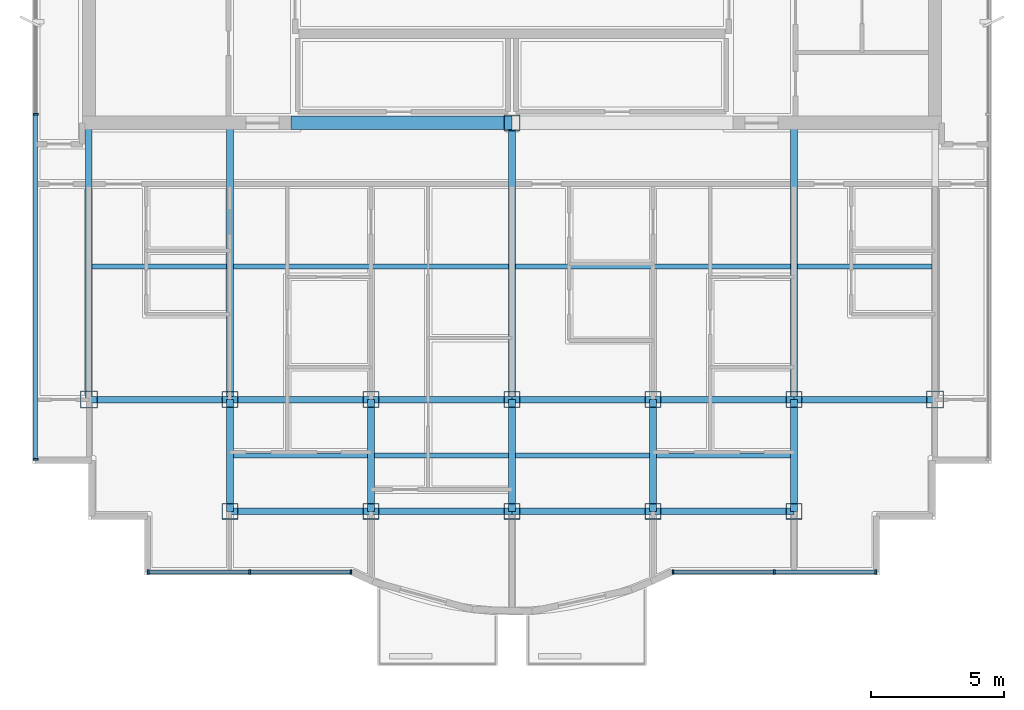
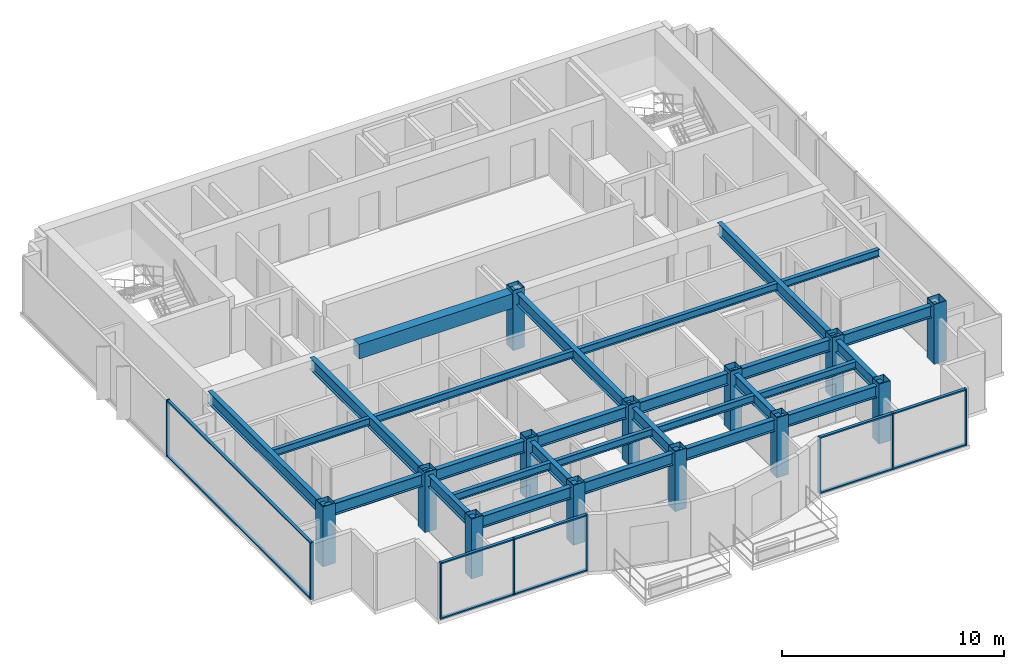
# One storey, part 1 of 11: 28 beams, 18 members, 13 columns, 3 elements without a shape of their own.
"""IFC4 building model written with IfcOpenShell, lengths in metres."""

from ifc_helpers import new_model, si_unit, direction, frame, origin, origin_2d, place, context, subcontext, project, spatial, rectangle, hollow_rectangle, i_section, extrude, source, transform, mapped, material, layer, layer_set, material_profile, profile_set, type_object, element, aggregate, save


model = new_model("IFC4")

# Units and contexts
model_context = context("Model", 3, precision=1e-05, world=origin(), true_north=direction((0.0, 1.0)))
body_context = subcontext(model_context, "Body", "Model", "MODEL_VIEW")
ifc_project = project(units=[si_unit("LENGTHUNIT", "METRE"), si_unit("AREAUNIT", "SQUARE_METRE"), si_unit("VOLUMEUNIT", "CUBIC_METRE"), si_unit("PLANEANGLEUNIT", "RADIAN"), si_unit("MASSUNIT", "GRAM", prefix="KILO")], contexts=[model_context])

# Site, building, storey
site_placement = place(None, origin())
site = spatial("IfcSite", under=ifc_project, at=site_placement, CompositionType="ELEMENT")
building_placement = place(site_placement, origin())
building = spatial("IfcBuilding", under=site, at=building_placement, Name="Qianlan Lanfeng Residences", CompositionType="ELEMENT")
storey_placement = place(building_placement, frame((0.0, 0.0, 259.39990234375)))
storey = spatial("IfcBuildingStorey", under=building, at=storey_placement, Name="L72", CompositionType="ELEMENT", Elevation=259.39990234375)

# Columns
ifc_material_1 = material(Name="Steel SN490B", Category="steel")
ifc_material_profile_1 = material_profile(ifc_material_1, hollow_rectangle(XDim=0.60009765625, YDim=0.60009765625, WallThickness=0.02197265625, at=origin_2d()), Name="BOX 600x600x22")
ifc_profile_set_1 = profile_set([ifc_material_profile_1], Name="Steel SN490B")
column_type_1 = type_object("IfcColumnType", Name="C-B650", PredefinedType="COLUMN", material=ifc_profile_set_1)
for number, where, z_axis, x_axis, name in (
    (1, (26.5, 25.199951171875, 0.0), (0.0, 0.0, 1.0), (1.0, 0.0, 0.0), "L72 Structural Column CP_26.5_25.2"),
    (2, (15.89990234375, 14.800048828125, 0.0), (0.0, 0.0, 1.0), (1.0, 0.0, 0.0), "L72 Structural Column M_15.90_14.80"),
    (3, (15.89990234375, 10.60009765625, 0.0), (0.0, 0.0, 1.0), (1.0, 0.0, 0.0), "L72 Structural Column G_15.90_10.60"),
    (4, (21.199951171875, 14.800048828125, 0.0), (0.0, 0.0, 1.0), (1.0, 0.0, 0.0), "L72 Structural Column M_21.20_14.80"),
    (5, (21.199951171875, 10.60009765625, 0.0), (0.0, 0.0, 1.0), (1.0, 0.0, 0.0), "L72 Structural Column G_21.20_10.60"),
    (6, (26.5, 14.800048828125, 0.0), (0.0, 0.0, 1.0), (1.0, 0.0, 0.0), "L72 Structural Column M_26.50_14.80"),
    (7, (26.5, 10.60009765625, 0.0), (0.0, 0.0, 1.0), (1.0, 0.0, 0.0), "L72 Structural Column G_26.50_10.60"),
    (8, (31.800048828125, 14.800048828125, 0.0), (0.0, 0.0, 1.0), (1.0, 0.0, 0.0), "L72 Structural Column M_31.80_14.80"),
    (9, (31.800048828125, 10.60009765625, 0.0), (0.0, 0.0, 1.0), (1.0, 0.0, 0.0), "L72 Structural Column G_31.80_10.60"),
    (10, (37.10009765625, 14.800048828125, 0.0), (0.0, 0.0, 1.0), (1.0, 0.0, 0.0), "L72 Structural Column M_37.10_14.80"),
    (11, (37.10009765625, 10.60009765625, 0.0), (0.0, 0.0, 1.0), (1.0, 0.0, 0.0), "L72 Structural Column G_37.10_10.60"),
):
    element("IfcColumn", number, at=place(storey_placement, frame(where, z_axis=z_axis, x_axis=x_axis)), inside=storey, type_object=column_type_1, Name=name, PredefinedType="COLUMN", context=body_context, shape_type="SweptSolid", body=[
        extrude(hollow_rectangle(XDim=0.60009765625, YDim=0.60009765625, WallThickness=0.02197265625, at=origin_2d()), origin(), (0.0, 0.0, 1.0), 3.300048828125),
    ])
ifc_material_profile_2 = material_profile(ifc_material_1, hollow_rectangle(XDim=0.64990234375, YDim=0.64990234375, WallThickness=0.02197265625, at=origin_2d()), Name="BOX 650x650x22")
ifc_profile_set_2 = profile_set([ifc_material_profile_2], Name="Steel SN490B")
column_type_2 = type_object("IfcColumnType", Name="CE-B700", PredefinedType="COLUMN", material=ifc_profile_set_2)
for number, where, z_axis, x_axis, name in (
    (12, (10.60009765625, 14.800048828125, 0.0), (0.0, 0.0, 1.0), (1.0, 0.0, 0.0), "L72 Structural Column M_10.60_14.80"),
    (13, (42.39990234375, 14.800048828125, 0.0), (0.0, 0.0, 1.0), (1.0, 0.0, 0.0), "L72 Structural Column M_42.40_14.80"),
):
    element("IfcColumn", number, at=place(storey_placement, frame(where, z_axis=z_axis, x_axis=x_axis)), inside=storey, type_object=column_type_2, Name=name, PredefinedType="COLUMN", context=body_context, shape_type="SweptSolid", body=[
        extrude(hollow_rectangle(XDim=0.64990234375, YDim=0.64990234375, WallThickness=0.02197265625, at=origin_2d()), origin(), (0.0, 0.0, 1.0), 3.300048828125),
    ])

# Beams
ifc_material_profile_3 = material_profile(ifc_material_1, i_section(OverallWidth=0.25, OverallDepth=0.64990234375, WebThickness=0.012939453125, FlangeThickness=0.02197265625, at=origin_2d()), Name="H 650x250x13x22")
ifc_profile_set_3 = profile_set([ifc_material_profile_3], Name="Steel SN490B")
beam_type_1 = type_object("IfcBeamType", Name="G-650", PredefinedType="BEAM", material=ifc_profile_set_3)
for number, where, z_axis, x_axis, name in (
    (14, (15.89990234375, 10.60009765625, 2.78515625), (1.0, 0.0, 0.0), (0.0, 1.0, 0.0), "Structural beam G-650"),
    (15, (21.199951171875, 10.60009765625, 2.78515625), (1.0, 0.0, 0.0), (0.0, 1.0, 0.0), "Structural beam G-650"),
    (16, (26.5, 10.60009765625, 2.78515625), (1.0, 0.0, 0.0), (0.0, 1.0, 0.0), "Structural beam G-650"),
    (17, (31.800048828125, 10.60009765625, 2.78515625), (1.0, 0.0, 0.0), (0.0, 1.0, 0.0), "Structural beam G-650"),
):
    element("IfcBeam", number, at=place(storey_placement, frame(where, z_axis=z_axis, x_axis=x_axis)), inside=storey, type_object=beam_type_1, Name=name, PredefinedType="BEAM", context=body_context, shape_type="SweptSolid", body=[
        extrude(i_section(OverallWidth=0.25, OverallDepth=0.64990234375, WebThickness=0.012939453125, FlangeThickness=0.02197265625, at=origin_2d()), origin(), (0.0, 0.0, 1.0), 5.300048828125),
    ])
beam_1_placement = place(storey_placement, frame((10.60009765625, 14.800048828125, 2.78515625), z_axis=(1.0, 0.0, 0.0), x_axis=(0.0, 1.0, 0.0)))
element("IfcBeam", 18, at=beam_1_placement, inside=storey, type_object=beam_type_1, Name="Structural beam G-650", PredefinedType="BEAM", context=body_context, shape_type="SweptSolid", body=[
    extrude(i_section(OverallWidth=0.25, OverallDepth=0.64990234375, WebThickness=0.012939453125, FlangeThickness=0.02197265625, at=origin_2d()), origin(), (0.0, 0.0, 1.0), 5.2998046875),
])
for number, where, z_axis, x_axis, name in (
    (19, (15.89990234375, 14.800048828125, 2.78515625), (1.0, 0.0, 0.0), (0.0, 1.0, 0.0), "Structural beam G-650"),
    (20, (21.199951171875, 14.800048828125, 2.78515625), (1.0, 0.0, 0.0), (0.0, 1.0, 0.0), "Structural beam G-650"),
    (21, (26.5, 14.800048828125, 2.78515625), (1.0, 0.0, 0.0), (0.0, 1.0, 0.0), "Structural beam G-650"),
    (22, (31.800048828125, 14.800048828125, 2.78515625), (1.0, 0.0, 0.0), (0.0, 1.0, 0.0), "Structural beam G-650"),
):
    element("IfcBeam", number, at=place(storey_placement, frame(where, z_axis=z_axis, x_axis=x_axis)), inside=storey, type_object=beam_type_1, Name=name, PredefinedType="BEAM", context=body_context, shape_type="SweptSolid", body=[
        extrude(i_section(OverallWidth=0.25, OverallDepth=0.64990234375, WebThickness=0.012939453125, FlangeThickness=0.02197265625, at=origin_2d()), origin(), (0.0, 0.0, 1.0), 5.300048828125),
    ])
beam_2_placement = place(storey_placement, frame((37.10009765625, 14.800048828125, 2.78515625), z_axis=(1.0, 0.0, 0.0), x_axis=(0.0, 1.0, 0.0)))
element("IfcBeam", 23, at=beam_2_placement, inside=storey, type_object=beam_type_1, Name="Structural beam G-650", PredefinedType="BEAM", context=body_context, shape_type="SweptSolid", body=[
    extrude(i_section(OverallWidth=0.25, OverallDepth=0.64990234375, WebThickness=0.012939453125, FlangeThickness=0.02197265625, at=origin_2d()), origin(), (0.0, 0.0, 1.0), 5.2998046875),
])
beam_3_placement = place(storey_placement, frame((10.60009765625, 14.800048828125, 2.78515625), z_axis=(0.0, 1.0, 0.0), x_axis=(-1.0, 0.0, 0.0)))
element("IfcBeam", 24, at=beam_3_placement, inside=storey, type_object=beam_type_1, Name="Structural beam G-650", PredefinedType="BEAM", context=body_context, shape_type="SweptSolid", body=[
    extrude(i_section(OverallWidth=0.25, OverallDepth=0.64990234375, WebThickness=0.012939453125, FlangeThickness=0.02197265625, at=origin_2d()), origin(), (0.0, 0.0, 1.0), 10.39990234375),
])
beam_4_placement = place(storey_placement, frame((15.89990234375, 10.60009765625, 2.78515625), z_axis=(0.0, 1.0, 0.0), x_axis=(-1.0, 0.0, 0.0)))
element("IfcBeam", 25, at=beam_4_placement, inside=storey, type_object=beam_type_1, Name="Structural beam G-650", PredefinedType="BEAM", context=body_context, shape_type="SweptSolid", body=[
    extrude(i_section(OverallWidth=0.25, OverallDepth=0.64990234375, WebThickness=0.012939453125, FlangeThickness=0.02197265625, at=origin_2d()), origin(), (0.0, 0.0, 1.0), 4.199951171875),
])
beam_5_placement = place(storey_placement, frame((15.89990234375, 14.800048828125, 2.78515625), z_axis=(0.0, 1.0, 0.0), x_axis=(-1.0, 0.0, 0.0)))
element("IfcBeam", 26, at=beam_5_placement, inside=storey, type_object=beam_type_1, Name="Structural beam G-650", PredefinedType="BEAM", context=body_context, shape_type="SweptSolid", body=[
    extrude(i_section(OverallWidth=0.25, OverallDepth=0.64990234375, WebThickness=0.012939453125, FlangeThickness=0.02197265625, at=origin_2d()), origin(), (0.0, 0.0, 1.0), 10.39990234375),
])
for number, where, z_axis, x_axis, name in (
    (27, (21.199951171875, 10.60009765625, 2.78515625), (0.0, 1.0, 0.0), (-1.0, 0.0, 0.0), "Structural beam G-650"),
    (28, (26.5, 10.60009765625, 2.78515625), (0.0, 1.0, 0.0), (-1.0, 0.0, 0.0), "Structural beam G-650"),
):
    element("IfcBeam", number, at=place(storey_placement, frame(where, z_axis=z_axis, x_axis=x_axis)), inside=storey, type_object=beam_type_1, Name=name, PredefinedType="BEAM", context=body_context, shape_type="SweptSolid", body=[
        extrude(i_section(OverallWidth=0.25, OverallDepth=0.64990234375, WebThickness=0.012939453125, FlangeThickness=0.02197265625, at=origin_2d()), origin(), (0.0, 0.0, 1.0), 4.199951171875),
    ])
beam_6_placement = place(storey_placement, frame((26.5, 14.800048828125, 2.78515625), z_axis=(0.0, 1.0, 0.0), x_axis=(-1.0, 0.0, 0.0)))
element("IfcBeam", 29, at=beam_6_placement, inside=storey, type_object=beam_type_1, Name="Structural beam G-650", PredefinedType="BEAM", context=body_context, shape_type="SweptSolid", body=[
    extrude(i_section(OverallWidth=0.25, OverallDepth=0.64990234375, WebThickness=0.012939453125, FlangeThickness=0.02197265625, at=origin_2d()), origin(), (0.0, 0.0, 1.0), 10.39990234375),
])
for number, where, z_axis, x_axis, name in (
    (30, (31.800048828125, 10.60009765625, 2.78515625), (0.0, 1.0, 0.0), (-1.0, 0.0, 0.0), "Structural beam G-650"),
    (31, (37.10009765625, 10.60009765625, 2.78515625), (0.0, 1.0, 0.0), (-1.0, 0.0, 0.0), "Structural beam G-650"),
):
    element("IfcBeam", number, at=place(storey_placement, frame(where, z_axis=z_axis, x_axis=x_axis)), inside=storey, type_object=beam_type_1, Name=name, PredefinedType="BEAM", context=body_context, shape_type="SweptSolid", body=[
        extrude(i_section(OverallWidth=0.25, OverallDepth=0.64990234375, WebThickness=0.012939453125, FlangeThickness=0.02197265625, at=origin_2d()), origin(), (0.0, 0.0, 1.0), 4.199951171875),
    ])
beam_7_placement = place(storey_placement, frame((37.10009765625, 14.800048828125, 2.78515625), z_axis=(0.0, 1.0, 0.0), x_axis=(-1.0, 0.0, 0.0)))
element("IfcBeam", 32, at=beam_7_placement, inside=storey, type_object=beam_type_1, Name="Structural beam G-650", PredefinedType="BEAM", context=body_context, shape_type="SweptSolid", body=[
    extrude(i_section(OverallWidth=0.25, OverallDepth=0.64990234375, WebThickness=0.012939453125, FlangeThickness=0.02197265625, at=origin_2d()), origin(), (0.0, 0.0, 1.0), 10.39990234375),
])
ifc_material_profile_4 = material_profile(ifc_material_1, i_section(OverallWidth=0.199951171875, OverallDepth=0.39990234375, WebThickness=0.008056640625, FlangeThickness=0.012939453125, at=origin_2d()), Name="H 400x200x8x13")
ifc_profile_set_4 = profile_set([ifc_material_profile_4], Name="Steel SN490B")
beam_type_2 = type_object("IfcBeamType", Name="J-400", PredefinedType="JOIST", material=ifc_profile_set_4)
for number, where, z_axis, x_axis, name in (
    (33, (16.02490234375, 12.699951171875, 2.91015625), (1.0, 0.0, 0.0), (0.0, 1.0, 0.0), "Structural beam J-400"),
    (34, (21.324951171875, 12.699951171875, 2.91015625), (1.0, 0.0, 0.0), (0.0, 1.0, 0.0), "Structural beam J-400"),
    (35, (26.625, 12.699951171875, 2.91015625), (1.0, 0.0, 0.0), (0.0, 1.0, 0.0), "Structural beam J-400"),
    (36, (31.925048828125, 12.699951171875, 2.91015625), (1.0, 0.0, 0.0), (0.0, 1.0, 0.0), "Structural beam J-400"),
):
    element("IfcBeam", number, at=place(storey_placement, frame(where, z_axis=z_axis, x_axis=x_axis)), inside=storey, type_object=beam_type_2, Name=name, PredefinedType="JOIST", context=body_context, shape_type="SweptSolid", body=[
        extrude(i_section(OverallWidth=0.199951171875, OverallDepth=0.39990234375, WebThickness=0.008056640625, FlangeThickness=0.012939453125, at=origin_2d()), origin(), (0.0, 0.0, 1.0), 5.050048828125),
    ])
beam_8_placement = place(storey_placement, frame((10.72509765625, 19.800048828125, 2.91015625), z_axis=(1.0, 0.0, 0.0), x_axis=(0.0, 1.0, 0.0)))
element("IfcBeam", 37, at=beam_8_placement, inside=storey, type_object=beam_type_2, Name="Structural beam J-400", PredefinedType="JOIST", context=body_context, shape_type="SweptSolid", body=[
    extrude(i_section(OverallWidth=0.199951171875, OverallDepth=0.39990234375, WebThickness=0.008056640625, FlangeThickness=0.012939453125, at=origin_2d()), origin(), (0.0, 0.0, 1.0), 5.0498046875),
])
for number, where, z_axis, x_axis, name in (
    (38, (16.02490234375, 19.800048828125, 2.91015625), (1.0, 0.0, 0.0), (0.0, 1.0, 0.0), "Structural beam J-400"),
    (39, (26.625, 19.800048828125, 2.91015625), (1.0, 0.0, 0.0), (0.0, 1.0, 0.0), "Structural beam J-400"),
):
    element("IfcBeam", number, at=place(storey_placement, frame(where, z_axis=z_axis, x_axis=x_axis)), inside=storey, type_object=beam_type_2, Name=name, PredefinedType="JOIST", context=body_context, shape_type="SweptSolid", body=[
        extrude(i_section(OverallWidth=0.199951171875, OverallDepth=0.39990234375, WebThickness=0.008056640625, FlangeThickness=0.012939453125, at=origin_2d()), origin(), (0.0, 0.0, 1.0), 10.35009765625),
    ])
beam_9_placement = place(storey_placement, frame((37.22509765625, 19.800048828125, 2.91015625), z_axis=(1.0, 0.0, 0.0), x_axis=(0.0, 1.0, 0.0)))
element("IfcBeam", 40, at=beam_9_placement, inside=storey, type_object=beam_type_2, Name="Structural beam J-400", PredefinedType="JOIST", context=body_context, shape_type="SweptSolid", body=[
    extrude(i_section(OverallWidth=0.199951171875, OverallDepth=0.39990234375, WebThickness=0.008056640625, FlangeThickness=0.012939453125, at=origin_2d()), origin(), (0.0, 0.0, 1.0), 5.0498046875),
])
ifc_material_2 = material(Name="Concrete C49", Category="concrete")
ifc_material_profile_5 = material_profile(ifc_material_2, rectangle(XDim=0.5, YDim=0.800048828125, at=origin_2d()), Name="RC 500x800")
ifc_profile_set_5 = profile_set([ifc_material_profile_5], Name="Concrete C49")
beam_type_3 = type_object("IfcBeamType", Name="LB-RC750", PredefinedType="BEAM", material=ifc_profile_set_5)
beam_10_placement = place(storey_placement, frame((18.199951171875, 25.199951171875, 2.710205078125), z_axis=(1.0, 0.0, 0.0), x_axis=(0.0, 1.0, 0.0)))
element("IfcBeam", 41, at=beam_10_placement, inside=storey, type_object=beam_type_3, Name="L72 Core Coupling Beam W", PredefinedType="BEAM", context=body_context, shape_type="SweptSolid", body=[
    extrude(rectangle(XDim=0.5, YDim=0.800048828125, at=origin_2d()), origin(), (0.0, 0.0, 1.0), 8.300048828125),
])

# Curtain wall, members
ifc_material_3 = material(Name="Anodised Bronze Aluminium 6063-T6", Category="aluminium")
ifc_layer = layer(ifc_material_3, 0.219970703125)
ifc_layer_set = layer_set([ifc_layer], Name="Anodised Bronze Aluminium 6063-T6")
curtain_wall_type = type_object("IfcCurtainWallType", Name="CW-06", PredefinedType="NOTDEFINED", material=ifc_layer_set)
curtain_wall_1_placement = place(storey_placement, origin())
curtain_wall_1 = element("IfcCurtainWall", 42, at=curtain_wall_1_placement, inside=storey, type_object=curtain_wall_type, Name="L72 Unitised Curtain Wall CWR-L72-01 (CW-06)", PredefinedType="NOTDEFINED")
ifc_material_profile_6 = material_profile(ifc_material_3, rectangle(XDim=0.074951171875, YDim=0.179931640625, at=origin_2d()), Name="ALU MULLION 75x180")
ifc_profile_set_6 = profile_set([ifc_material_profile_6], Name="Anodised Bronze Aluminium 6063-T6")
member_type_1 = type_object("IfcMemberType", Name="CWM-180", PredefinedType="MULLION", material=ifc_profile_set_6)
shared_shape_1 = source(origin(), body_context, "Body", "SweptSolid", [
    extrude(rectangle(XDim=0.074951171875, YDim=0.179931640625, at=origin_2d()), origin(), (0.0, 0.0, 1.0), 3.110107421875),
])
member_1_placement = place(storey_placement, frame((12.83740234375, 8.320068359375, 0.0), z_axis=(0.0, 0.0, 1.0), x_axis=(1.0, 0.0, 0.0)))
member_1 = element("IfcMember", 43, at=member_1_placement, type_object=member_type_1, Name="CWR-L72-01 Mullion 1", PredefinedType="MULLION", context=body_context, shape_type="MappedRepresentation", body=[
    mapped(shared_shape_1, transform((0.0, 0.0, 0.0), scale=1.0)),
])
member_2_placement = place(storey_placement, frame((16.6435546875, 8.320068359375, 0.0), z_axis=(0.0, 0.0, 1.0), x_axis=(1.0, 0.0, 0.0)))
member_2 = element("IfcMember", 44, at=member_2_placement, type_object=member_type_1, Name="CWR-L72-01 Mullion 2", PredefinedType="MULLION", context=body_context, shape_type="MappedRepresentation", body=[
    mapped(shared_shape_1, transform((0.0, 0.0, 0.0), scale=1.0)),
])
member_3_placement = place(storey_placement, frame((20.449462890625, 8.320068359375, 0.0), z_axis=(0.0, 0.0, 1.0), x_axis=(1.0, 0.0, 0.0)))
member_3 = element("IfcMember", 45, at=member_3_placement, type_object=member_type_1, Name="CWR-L72-01 Mullion 3", PredefinedType="MULLION", context=body_context, shape_type="MappedRepresentation", body=[
    mapped(shared_shape_1, transform((0.0, 0.0, 0.0), scale=1.0)),
])

curtain_wall_2_placement = place(storey_placement, origin())
curtain_wall_2 = element("IfcCurtainWall", 46, at=curtain_wall_2_placement, inside=storey, type_object=curtain_wall_type, Name="L72 Unitised Curtain Wall CWR-L72-02 (CW-06)", PredefinedType="NOTDEFINED")
member_4_placement = place(storey_placement, frame((32.550537109375, 8.320068359375, 0.0), z_axis=(0.0, 0.0, 1.0), x_axis=(1.0, 0.0, 0.0)))
member_4 = element("IfcMember", 47, at=member_4_placement, type_object=member_type_1, Name="CWR-L72-02 Mullion 1", PredefinedType="MULLION", context=body_context, shape_type="MappedRepresentation", body=[
    mapped(shared_shape_1, transform((0.0, 0.0, 0.0), scale=1.0)),
])
member_5_placement = place(storey_placement, frame((36.3564453125, 8.320068359375, 0.0), z_axis=(0.0, 0.0, 1.0), x_axis=(1.0, 0.0, 0.0)))
member_5 = element("IfcMember", 48, at=member_5_placement, type_object=member_type_1, Name="CWR-L72-02 Mullion 2", PredefinedType="MULLION", context=body_context, shape_type="MappedRepresentation", body=[
    mapped(shared_shape_1, transform((0.0, 0.0, 0.0), scale=1.0)),
])
member_6_placement = place(storey_placement, frame((40.16259765625, 8.320068359375, 0.0), z_axis=(0.0, 0.0, 1.0), x_axis=(1.0, 0.0, 0.0)))
member_6 = element("IfcMember", 49, at=member_6_placement, type_object=member_type_1, Name="CWR-L72-02 Mullion 3", PredefinedType="MULLION", context=body_context, shape_type="MappedRepresentation", body=[
    mapped(shared_shape_1, transform((0.0, 0.0, 0.0), scale=1.0)),
])

curtain_wall_3_placement = place(storey_placement, origin())
curtain_wall_3 = element("IfcCurtainWall", 50, at=curtain_wall_3_placement, inside=storey, type_object=curtain_wall_type, Name="L72 Unitised Curtain Wall CWR-L72-04 (CW-06)", PredefinedType="NOTDEFINED")
member_7_placement = place(storey_placement, frame((8.60009765625, 25.52490234375, 0.0), z_axis=(0.0, 0.0, 1.0), x_axis=(0.0, -1.0, 0.0)))
member_7 = element("IfcMember", 51, at=member_7_placement, type_object=member_type_1, Name="CWR-L72-04 Mullion 2", PredefinedType="MULLION", context=body_context, shape_type="MappedRepresentation", body=[
    mapped(shared_shape_1, transform((0.0, 0.0, 0.0), scale=1.0)),
])
member_8_placement = place(storey_placement, frame((8.60009765625, 12.5576171875, 0.0), z_axis=(0.0, 0.0, 1.0), x_axis=(0.0, -1.0, 0.0)))
member_8 = element("IfcMember", 52, at=member_8_placement, type_object=member_type_1, Name="CWR-L72-04 Mullion 3", PredefinedType="MULLION", context=body_context, shape_type="MappedRepresentation", body=[
    mapped(shared_shape_1, transform((0.0, 0.0, 0.0), scale=1.0)),
])

# Member
ifc_material_profile_7 = material_profile(ifc_material_3, rectangle(XDim=0.074951171875, YDim=0.14990234375, at=origin_2d()), Name="ALU TRANSOM 75x150")
ifc_profile_set_7 = profile_set([ifc_material_profile_7], Name="Anodised Bronze Aluminium 6063-T6")
member_type_2 = type_object("IfcMemberType", Name="CWT-150", PredefinedType="USERDEFINED", material=ifc_profile_set_7)
shared_shape_2 = source(origin(), body_context, "Body", "SweptSolid", [
    extrude(rectangle(XDim=0.074951171875, YDim=0.14990234375, at=origin_2d()), origin(), (0.0, 0.0, 1.0), 3.73095703125),
])
member_9_placement = place(storey_placement, frame((12.875, 8.320068359375, 0.03759765625), z_axis=(1.0, 0.0, 0.0), x_axis=(0.0, 0.0, 1.0)))
member_9 = element("IfcMember", 53, at=member_9_placement, type_object=member_type_2, Name="CWR-L72-01 Transom 1-BOT", ObjectType="TRANSOM", PredefinedType="USERDEFINED", context=body_context, shape_type="MappedRepresentation", body=[
    mapped(shared_shape_2, transform((0.0, 0.0, 0.0), scale=1.0)),
])

member_10_placement = place(storey_placement, frame((12.875, 8.320068359375, 3.072509765625), z_axis=(1.0, 0.0, 0.0), x_axis=(0.0, 0.0, 1.0)))
member_10 = element("IfcMember", 54, at=member_10_placement, type_object=member_type_2, Name="CWR-L72-01 Transom 1-TOP", ObjectType="TRANSOM", PredefinedType="USERDEFINED", context=body_context, shape_type="MappedRepresentation", body=[
    mapped(shared_shape_2, transform((0.0, 0.0, 0.0), scale=1.0)),
])

member_11_placement = place(storey_placement, frame((36.39404296875, 8.320068359375, 0.03759765625), z_axis=(1.0, 0.0, 0.0), x_axis=(0.0, 0.0, 1.0)))
member_11 = element("IfcMember", 55, at=member_11_placement, type_object=member_type_2, Name="CWR-L72-02 Transom 2-BOT", ObjectType="TRANSOM", PredefinedType="USERDEFINED", context=body_context, shape_type="MappedRepresentation", body=[
    mapped(shared_shape_2, transform((0.0, 0.0, 0.0), scale=1.0)),
])

member_12_placement = place(storey_placement, frame((36.39404296875, 8.320068359375, 3.072509765625), z_axis=(1.0, 0.0, 0.0), x_axis=(0.0, 0.0, 1.0)))
member_12 = element("IfcMember", 56, at=member_12_placement, type_object=member_type_2, Name="CWR-L72-02 Transom 2-TOP", ObjectType="TRANSOM", PredefinedType="USERDEFINED", context=body_context, shape_type="MappedRepresentation", body=[
    mapped(shared_shape_2, transform((0.0, 0.0, 0.0), scale=1.0)),
])

shared_shape_3 = source(origin(), body_context, "Body", "SweptSolid", [
    extrude(rectangle(XDim=0.074951171875, YDim=0.14990234375, at=origin_2d()), origin(), (0.0, 0.0, 1.0), 3.731201171875),
])
member_13_placement = place(storey_placement, frame((16.680908203125, 8.320068359375, 0.03759765625), z_axis=(1.0, 0.0, 0.0), x_axis=(0.0, 0.0, 1.0)))
member_13 = element("IfcMember", 57, at=member_13_placement, type_object=member_type_2, Name="CWR-L72-01 Transom 2-BOT", ObjectType="TRANSOM", PredefinedType="USERDEFINED", context=body_context, shape_type="MappedRepresentation", body=[
    mapped(shared_shape_3, transform((0.0, 0.0, 0.0), scale=1.0)),
])

member_14_placement = place(storey_placement, frame((16.680908203125, 8.320068359375, 3.072509765625), z_axis=(1.0, 0.0, 0.0), x_axis=(0.0, 0.0, 1.0)))
member_14 = element("IfcMember", 58, at=member_14_placement, type_object=member_type_2, Name="CWR-L72-01 Transom 2-TOP", ObjectType="TRANSOM", PredefinedType="USERDEFINED", context=body_context, shape_type="MappedRepresentation", body=[
    mapped(shared_shape_3, transform((0.0, 0.0, 0.0), scale=1.0)),
])

aggregate(curtain_wall_1, [member_1, member_2, member_3, member_9, member_10, member_13, member_14])

member_15_placement = place(storey_placement, frame((32.587890625, 8.320068359375, 0.03759765625), z_axis=(1.0, 0.0, 0.0), x_axis=(0.0, 0.0, 1.0)))
member_15 = element("IfcMember", 59, at=member_15_placement, type_object=member_type_2, Name="CWR-L72-02 Transom 1-BOT", ObjectType="TRANSOM", PredefinedType="USERDEFINED", context=body_context, shape_type="MappedRepresentation", body=[
    mapped(shared_shape_3, transform((0.0, 0.0, 0.0), scale=1.0)),
])

member_16_placement = place(storey_placement, frame((32.587890625, 8.320068359375, 3.072509765625), z_axis=(1.0, 0.0, 0.0), x_axis=(0.0, 0.0, 1.0)))
member_16 = element("IfcMember", 60, at=member_16_placement, type_object=member_type_2, Name="CWR-L72-02 Transom 1-TOP", ObjectType="TRANSOM", PredefinedType="USERDEFINED", context=body_context, shape_type="MappedRepresentation", body=[
    mapped(shared_shape_3, transform((0.0, 0.0, 0.0), scale=1.0)),
])

aggregate(curtain_wall_2, [member_4, member_5, member_6, member_15, member_16, member_11, member_12])

shared_shape_4 = source(origin(), body_context, "Body", "SweptSolid", [
    extrude(rectangle(XDim=0.074951171875, YDim=0.14990234375, at=origin_2d()), origin(), (0.0, 0.0, 1.0), 12.892578125),
])
member_17_placement = place(storey_placement, frame((8.60009765625, 25.487548828125, 0.03759765625), z_axis=(0.0, -1.0, 0.0), x_axis=(0.0, 0.0, 1.0)))
member_17 = element("IfcMember", 61, at=member_17_placement, type_object=member_type_2, Name="CWR-L72-04 Transom 2-BOT", ObjectType="TRANSOM", PredefinedType="USERDEFINED", context=body_context, shape_type="MappedRepresentation", body=[
    mapped(shared_shape_4, transform((0.0, 0.0, 0.0), scale=1.0)),
])

member_18_placement = place(storey_placement, frame((8.60009765625, 25.487548828125, 3.072509765625), z_axis=(0.0, -1.0, 0.0), x_axis=(0.0, 0.0, 1.0)))
member_18 = element("IfcMember", 62, at=member_18_placement, type_object=member_type_2, Name="CWR-L72-04 Transom 2-TOP", ObjectType="TRANSOM", PredefinedType="USERDEFINED", context=body_context, shape_type="MappedRepresentation", body=[
    mapped(shared_shape_4, transform((0.0, 0.0, 0.0), scale=1.0)),
])

aggregate(curtain_wall_3, [member_7, member_8, member_17, member_18])

save(model, "model.ifc")
